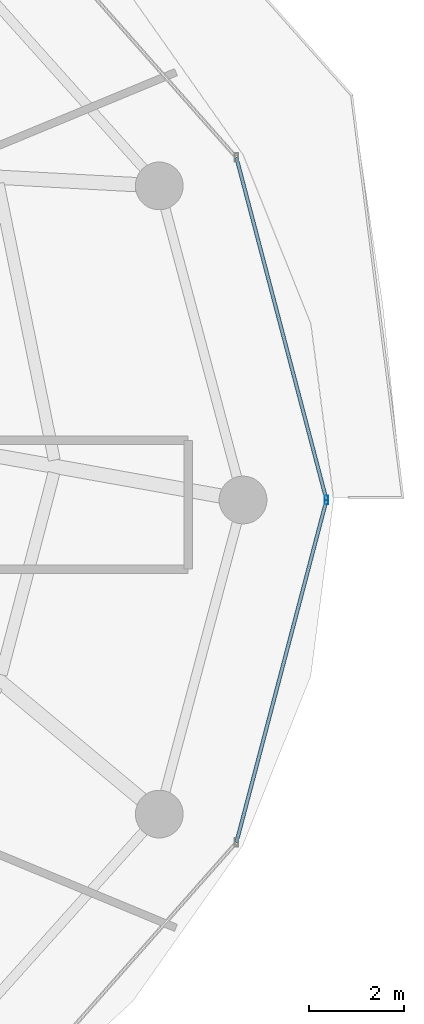
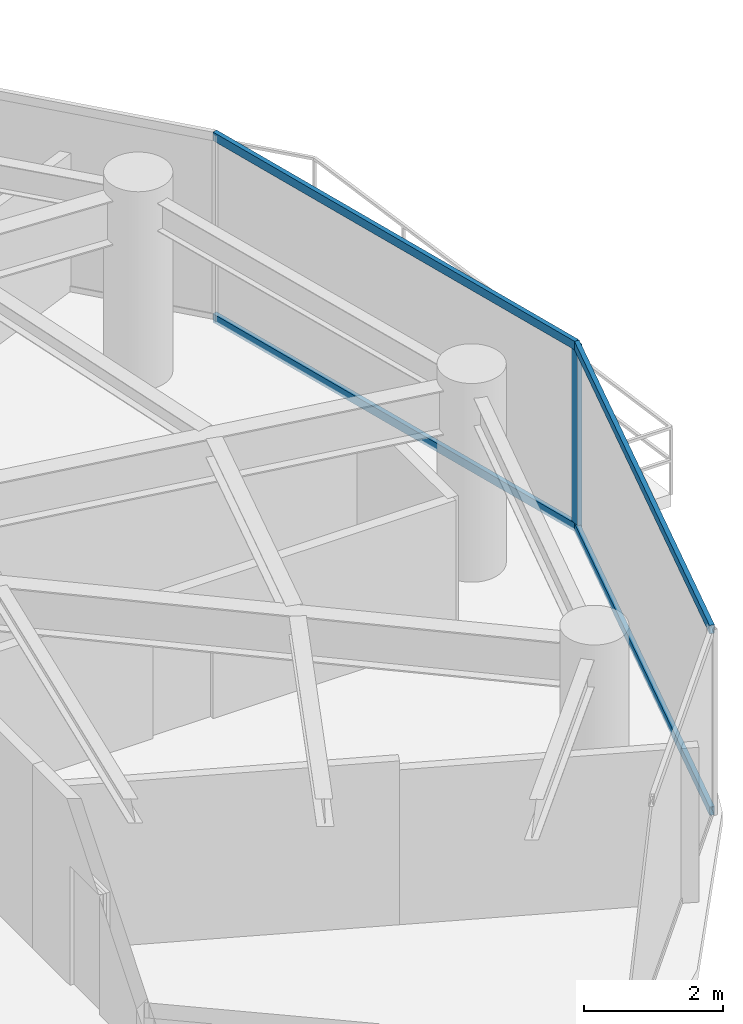
# One storey, part 14 of 28: 5 members, 1 element without a shape of its own.
"""IFC4 building model written with IfcOpenShell, lengths in metres."""

from ifc_helpers import new_model, si_unit, direction, frame, origin, origin_2d, place, context, subcontext, project, spatial, hollow_rectangle, extrude, material, material_profile, profile_set, type_object, element, aggregate, save


model = new_model("IFC4")

# Units and contexts
model_context = context("Model", 3, precision=1e-05, world=origin(), true_north=direction((0.0, 1.0)))
body_context = subcontext(model_context, "Body", "Model", "MODEL_VIEW")
ifc_project = project(units=[si_unit("LENGTHUNIT", "METRE"), si_unit("AREAUNIT", "SQUARE_METRE"), si_unit("VOLUMEUNIT", "CUBIC_METRE"), si_unit("PLANEANGLEUNIT", "RADIAN"), si_unit("MASSUNIT", "GRAM", prefix="KILO")], contexts=[model_context])

# Site, building, storey
site_placement = place(None, origin())
site = spatial("IfcSite", under=ifc_project, at=site_placement, CompositionType="ELEMENT")
building_placement = place(site_placement, origin())
building = spatial("IfcBuilding", under=site, at=building_placement, Name="Vorneva Point Tower", CompositionType="ELEMENT")
storey_placement = place(building_placement, frame((0.0, 0.0, 160.60009765625)))
storey = spatial("IfcBuildingStorey", under=building, at=storey_placement, Name="L43", CompositionType="ELEMENT", Elevation=160.60009765625)

# Curtain wall, members
ifc_material = material(Name="Pale anodised aluminium", Category="aluminium")
curtain_wall_type = type_object("IfcCurtainWallType", Name="CW-RES-SYS", PredefinedType="NOTDEFINED", material=ifc_material)
curtain_wall_placement = place(storey_placement, origin())
curtain_wall = element("IfcCurtainWall", 1, at=curtain_wall_placement, inside=storey, type_object=curtain_wall_type, Name="L43 Unitised Curtain Wall CW-L43-R01", PredefinedType="NOTDEFINED")
ifc_material_profile_1 = material_profile(ifc_material, hollow_rectangle(XDim=0.074951171875, YDim=0.179931640625, WallThickness=0.00390625, at=origin_2d()), Name="AL-MUL 180x75x4")
ifc_profile_set_1 = profile_set([ifc_material_profile_1], Name="Pale anodised aluminium")
member_type_1 = type_object("IfcMemberType", Name="CW-MUL-180", PredefinedType="MULLION", material=ifc_profile_set_1)
member_1_placement = place(storey_placement, frame((62.800048828125, 26.0, -0.0400390625), z_axis=(0.0, 0.0, 1.0), x_axis=(1.0, 0.0, 0.0)))
member_1 = element("IfcMember", 2, at=member_1_placement, type_object=member_type_1, Name="CW-L43-R01 Mullion 03", PredefinedType="MULLION", context=body_context, shape_type="SweptSolid", body=[
    extrude(hollow_rectangle(XDim=0.074951171875, YDim=0.179931640625, WallThickness=0.00390625, at=origin_2d()), origin(), (0.0, 0.0, 1.0), 3.31005859375),
])
ifc_material_profile_2 = material_profile(ifc_material, hollow_rectangle(XDim=0.074951171875, YDim=0.14990234375, WallThickness=0.00390625, at=origin_2d()), Name="AL-TRN 150x75x4")
ifc_profile_set_2 = profile_set([ifc_material_profile_2], Name="Pale anodised aluminium")
member_type_2 = type_object("IfcMemberType", Name="CW-TRN-150", PredefinedType="USERDEFINED", material=ifc_profile_set_2)
member_2_placement = place(storey_placement, frame((60.912109375, 18.82470703125, 0.02001953125), z_axis=(0.254456046293, 0.967084339913, 0.0), x_axis=(-0.967084339913, 0.254456046293, 0.0)))
member_2 = element("IfcMember", 3, at=member_2_placement, type_object=member_type_2, Name="CW-L43-R01 Transom 02.1", ObjectType="TRANSOM", PredefinedType="USERDEFINED", context=body_context, shape_type="SweptSolid", body=[
    extrude(hollow_rectangle(XDim=0.074951171875, YDim=0.14990234375, WallThickness=0.00390625, at=origin_2d()), origin(), (0.0, 0.0, 1.0), 7.41943359375),
])
member_3_placement = place(storey_placement, frame((60.912109375, 18.82470703125, 3.219970703125), z_axis=(0.254456046293, 0.967084339913, 0.0), x_axis=(-0.967084339913, 0.254456046293, 0.0)))
member_3 = element("IfcMember", 4, at=member_3_placement, type_object=member_type_2, Name="CW-L43-R01 Transom 02.2", ObjectType="TRANSOM", PredefinedType="USERDEFINED", context=body_context, shape_type="SweptSolid", body=[
    extrude(hollow_rectangle(XDim=0.074951171875, YDim=0.14990234375, WallThickness=0.00390625, at=origin_2d()), origin(), (0.0, 0.0, 1.0), 7.41943359375),
])
member_4_placement = place(storey_placement, frame((62.800048828125, 26.0, 0.02001953125), z_axis=(-0.254456046293, 0.967084339913, 0.0), x_axis=(-0.967084339913, -0.254456046293, 0.0)))
member_4 = element("IfcMember", 5, at=member_4_placement, type_object=member_type_2, Name="CW-L43-R01 Transom 03.1", ObjectType="TRANSOM", PredefinedType="USERDEFINED", context=body_context, shape_type="SweptSolid", body=[
    extrude(hollow_rectangle(XDim=0.074951171875, YDim=0.14990234375, WallThickness=0.00390625, at=origin_2d()), origin(), (0.0, 0.0, 1.0), 7.41943359375),
])
member_5_placement = place(storey_placement, frame((62.800048828125, 26.0, 3.219970703125), z_axis=(-0.254456046293, 0.967084339913, 0.0), x_axis=(-0.967084339913, -0.254456046293, 0.0)))
member_5 = element("IfcMember", 6, at=member_5_placement, type_object=member_type_2, Name="CW-L43-R01 Transom 03.2", ObjectType="TRANSOM", PredefinedType="USERDEFINED", context=body_context, shape_type="SweptSolid", body=[
    extrude(hollow_rectangle(XDim=0.074951171875, YDim=0.14990234375, WallThickness=0.00390625, at=origin_2d()), origin(), (0.0, 0.0, 1.0), 7.41943359375),
])
aggregate(curtain_wall, [member_1, member_2, member_3, member_4, member_5])

save(model, "model.ifc")
